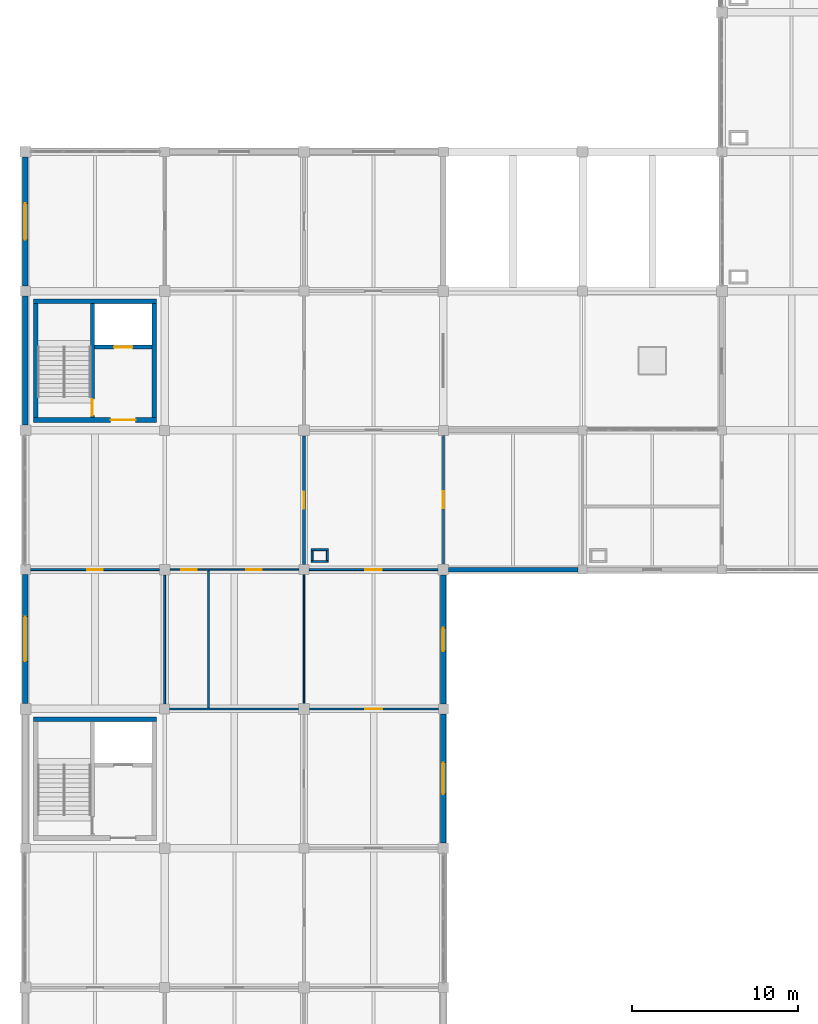
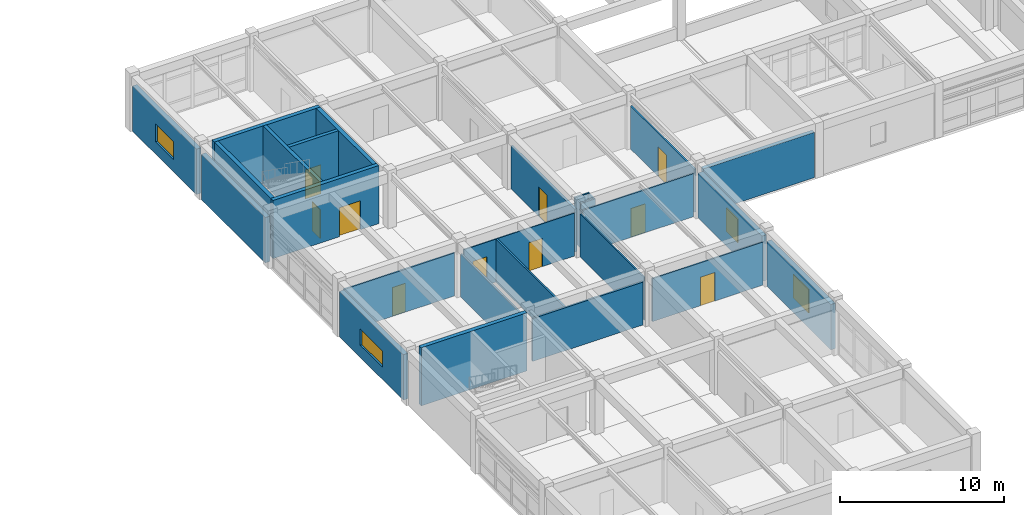
# One storey, part 61 of 74: 27 walls, 10 doors, 4 windows, 14 openings.
"""IFC4 building model written with IfcOpenShell, lengths in metres."""

from ifc_helpers import new_model, si_unit, direction, frame, frame_2d, origin, place, context, subcontext, project, spatial, rectangle, extrude, material, layer, layer_set, type_object, element, fill, save


model = new_model("IFC4")

# Units and contexts
model_context = context("Model", 3, precision=1e-05, world=origin(), true_north=direction((0.0, 1.0)))
body_context = subcontext(model_context, "Body", "Model", "MODEL_VIEW")
ifc_project = project(units=[si_unit("LENGTHUNIT", "METRE"), si_unit("AREAUNIT", "SQUARE_METRE"), si_unit("VOLUMEUNIT", "CUBIC_METRE"), si_unit("PLANEANGLEUNIT", "RADIAN"), si_unit("MASSUNIT", "GRAM", prefix="KILO")], contexts=[model_context])

# Site, building, storey
site_placement = place(None, origin())
site = spatial("IfcSite", under=ifc_project, at=site_placement, CompositionType="ELEMENT")
building_placement = place(site_placement, origin())
building = spatial("IfcBuilding", under=site, at=building_placement, Name="Porcellanite Civic Hall", CompositionType="ELEMENT")
storey_placement = place(building_placement, frame((0.0, 0.0, 14.760009765625)))
storey = spatial("IfcBuildingStorey", under=building, at=storey_placement, Name="L03", CompositionType="ELEMENT", Elevation=14.760009765625)

# Wall, opening, door
ifc_material_1 = material(Name="Concrete N40 (40 MPa)", Category="concrete")
ifc_layer_1 = layer(ifc_material_1, 0.239990234375)
ifc_layer_set_1 = layer_set([ifc_layer_1], Name="Concrete N40 (40 MPa)")
wall_type_1 = type_object("IfcWallType", Name="CW-SH240", PredefinedType="SHEAR", material=ifc_layer_set_1)
wall_1_placement = place(storey_placement, frame((12.43994140625, 59.56005859375, 0.0), z_axis=(0.0, 0.0, 1.0), x_axis=(0.0, 1.0, 0.0)))
wall_1 = element("IfcWall", 1, at=wall_1_placement, inside=storey, type_object=wall_type_1, Name="Core divider C2 L03", PredefinedType="SHEAR", context=body_context, shape_type="SweptSolid", body=[
    extrude(rectangle(XDim=6.8798828125, YDim=0.239990234375, at=frame_2d((3.43994140625, 0.0))), origin(), (0.0, 0.0, 1.0), 4.320068359375),
])
opening_1_placement = place(wall_1_placement, frame((0.1201171875, 0.0, 0.0)))
opening_1 = element("IfcOpeningElement", 2, at=opening_1_placement, cuts=wall_1, Name="Opening FD-C2-L03-ST", PredefinedType="OPENING", context=body_context, shape_type="SweptSolid", body=[
    extrude(rectangle(XDim=1.0, YDim=2.14990234375, at=frame_2d((0.5, 1.074951171875))), frame((0.0, 0.1201171875, 0.0), z_axis=(0.0, -1.0, 0.0), x_axis=(1.0, 0.0, 0.0)), (0.0, 0.0, 1.0), 0.239990234375),
])
ifc_material_2 = material(Name="Fire-rated solid-core hardwood timber", Category="wood")
door_type_1 = type_object("IfcDoorType", Name="DR-FD100", OperationType="NOTDEFINED", PredefinedType="DOOR", material=ifc_material_2)
door_1_placement = place(opening_1_placement, origin())
door_1 = element("IfcDoor", 3, at=door_1_placement, inside=storey, type_object=door_type_1, Name="Fire stair door FD-C2-L03-ST", OperationType="SINGLE_SWING_LEFT", OverallHeight=2.14990234375, OverallWidth=1.0, PredefinedType="DOOR", context=body_context, shape_type="SweptSolid", body=[
    extrude(rectangle(XDim=1.0, YDim=2.14990234375, at=frame_2d((0.5, 1.074951171875))), frame((0.0, 0.02490234375, 0.0), z_axis=(0.0, -1.0, 0.0), x_axis=(1.0, 0.0, 0.0)), (0.0, 0.0, 1.0), 0.050048828125),
])
fill(opening_1, door_1)

wall_2_placement = place(storey_placement, frame((12.56005859375, 63.820068359375, 0.0), z_axis=(0.0, 0.0, 1.0), x_axis=(1.0, 0.0, 0.0)))
wall_2 = element("IfcWall", 4, at=wall_2_placement, inside=storey, type_object=wall_type_1, Name="Lift shaft wall C2 L03", PredefinedType="SHEAR", context=body_context, shape_type="SweptSolid", body=[
    extrude(rectangle(XDim=3.47998046875, YDim=0.239990234375, at=frame_2d((1.739990234375, 0.0))), origin(), (0.0, 0.0, 1.0), 4.320068359375),
])
opening_2_placement = place(wall_2_placement, frame((1.18994140625, 0.0, 0.0)))
opening_2 = element("IfcOpeningElement", 5, at=opening_2_placement, cuts=wall_2, Name="Opening LD-04", PredefinedType="OPENING", context=body_context, shape_type="SweptSolid", body=[
    extrude(rectangle(XDim=1.10009765625, YDim=2.14990234375, at=frame_2d((0.550048828125, 1.074951171875))), frame((0.0, 0.1201171875, 0.0), z_axis=(0.0, -1.0, 0.0), x_axis=(1.0, 0.0, 0.0)), (0.0, 0.0, 1.0), 0.239990234375),
])
ifc_material_3 = material(Name="Brushed stainless steel 316", Category="steel")
door_type_2 = type_object("IfcDoorType", Name="DR-LD110", OperationType="DOUBLE_DOOR_SLIDING", PredefinedType="DOOR", material=ifc_material_3)
door_2_placement = place(opening_2_placement, origin())
door_2 = element("IfcDoor", 6, at=door_2_placement, inside=storey, type_object=door_type_2, Name="Lift landing sliding door LD-04 L03", OperationType="DOUBLE_DOOR_SLIDING", OverallHeight=2.14990234375, OverallWidth=1.10009765625, PredefinedType="DOOR", context=body_context, shape_type="SweptSolid", body=[
    extrude(rectangle(XDim=1.10009765625, YDim=2.14990234375, at=frame_2d((0.550048828125, 1.074951171875))), frame((0.0, 0.02490234375, 0.0), z_axis=(0.0, -1.0, 0.0), x_axis=(1.0, 0.0, 0.0)), (0.0, 0.0, 1.0), 0.050048828125),
])
fill(opening_2, door_2)

# Wall
ifc_material_4 = material(Name="Concrete N40 (40 MPa)", Category="concrete")
ifc_layer_2 = layer(ifc_material_4, 0.280029296875)
ifc_layer_set_2 = layer_set([ifc_layer_2], Name="Concrete N40 (40 MPa)")
wall_type_2 = type_object("IfcWallType", Name="CW-SH280", PredefinedType="SHEAR", material=ifc_layer_set_2)
wall_3_placement = place(storey_placement, frame((8.8798828125, 41.3798828125, 0.0), z_axis=(0.0, 0.0, 1.0), x_axis=(1.0, 0.0, 0.0)))
element("IfcWall", 7, at=wall_3_placement, inside=storey, type_object=wall_type_2, Name="Core wall C1 L03 N", PredefinedType="SHEAR", context=body_context, shape_type="SweptSolid", body=[
    extrude(rectangle(XDim=7.440185546875, YDim=0.280029296875, at=frame_2d((3.72021484375, 0.0))), origin(), (0.0, 0.0, 1.0), 4.320068359375),
])

# Wall, opening, door
wall_4_placement = place(storey_placement, frame((16.320068359375, 59.419921875, 0.0), z_axis=(0.0, 0.0, 1.0), x_axis=(-1.0, 0.0, 0.0)))
wall_4 = element("IfcWall", 8, at=wall_4_placement, inside=storey, type_object=wall_type_2, Name="Core wall C2 L03 S", PredefinedType="SHEAR", context=body_context, shape_type="SweptSolid", body=[
    extrude(rectangle(XDim=7.440185546875, YDim=0.280029296875, at=frame_2d((3.72021484375, 0.0))), origin(), (0.0, 0.0, 1.0), 4.320068359375),
])
opening_3_placement = place(wall_4_placement, frame((1.280029296875, 0.0, 0.0)))
opening_3 = element("IfcOpeningElement", 9, at=opening_3_placement, cuts=wall_4, Name="Opening FD-C2-L03-LB", PredefinedType="OPENING", context=body_context, shape_type="SweptSolid", body=[
    extrude(rectangle(XDim=1.5, YDim=2.14990234375, at=frame_2d((0.75, 1.074951171875))), frame((0.0, 0.14013671875, 0.0), z_axis=(0.0, -1.0, 0.0), x_axis=(1.0, 0.0, 0.0)), (0.0, 0.0, 1.0), 0.280029296875),
])
ifc_material_5 = material(Name="Fire-rated steel and Georgian wired glass", Category="steel")
door_type_3 = type_object("IfcDoorType", Name="DR-FD150", OperationType="DOUBLE_DOOR_SINGLE_SWING", PredefinedType="DOOR", material=ifc_material_5)
door_3_placement = place(opening_3_placement, origin())
door_3 = element("IfcDoor", 10, at=door_3_placement, inside=storey, type_object=door_type_3, Name="Fire lobby double door FD-C2-L03-LB", OperationType="DOUBLE_DOOR_SINGLE_SWING", OverallHeight=2.14990234375, OverallWidth=1.5, PredefinedType="DOOR", context=body_context, shape_type="SweptSolid", body=[
    extrude(rectangle(XDim=1.5, YDim=2.14990234375, at=frame_2d((0.75, 1.074951171875))), frame((0.0, 0.02490234375, 0.0), z_axis=(0.0, -1.0, 0.0), x_axis=(1.0, 0.0, 0.0)), (0.0, 0.0, 1.0), 0.050048828125),
])
fill(opening_3, door_3)

# Walls
wall_5_placement = place(storey_placement, frame((9.02001953125, 59.56005859375, 0.0), z_axis=(0.0, 0.0, 1.0), x_axis=(0.0, 1.0, 0.0)))
element("IfcWall", 11, at=wall_5_placement, inside=storey, type_object=wall_type_2, Name="Core wall C2 L03 W", PredefinedType="SHEAR", context=body_context, shape_type="SweptSolid", body=[
    extrude(rectangle(XDim=6.8798828125, YDim=0.280029296875, at=frame_2d((3.43994140625, 0.0))), origin(), (0.0, 0.0, 1.0), 4.320068359375),
])
wall_6_placement = place(storey_placement, frame((8.8798828125, 66.580078125, 0.0), z_axis=(0.0, 0.0, 1.0), x_axis=(1.0, 0.0, 0.0)))
element("IfcWall", 12, at=wall_6_placement, inside=storey, type_object=wall_type_2, Name="Core wall C2 L03 N", PredefinedType="SHEAR", context=body_context, shape_type="SweptSolid", body=[
    extrude(rectangle(XDim=7.440185546875, YDim=0.280029296875, at=frame_2d((3.72021484375, 0.0))), origin(), (0.0, 0.0, 1.0), 4.320068359375),
])
wall_7_placement = place(storey_placement, frame((16.179931640625, 66.43994140625, 0.0), z_axis=(0.0, 0.0, 1.0), x_axis=(0.0, -1.0, 0.0)))
element("IfcWall", 13, at=wall_7_placement, inside=storey, type_object=wall_type_2, Name="Core wall C2 L03 E", PredefinedType="SHEAR", context=body_context, shape_type="SweptSolid", body=[
    extrude(rectangle(XDim=6.8798828125, YDim=0.280029296875, at=frame_2d((3.43994140625, 0.0))), origin(), (0.0, 0.0, 1.0), 4.320068359375),
])
ifc_material_6 = material(Name="Precast concrete N40 (40 MPa)", Category="concrete")
ifc_layer_3 = layer(ifc_material_6, 0.280029296875)
ifc_layer_set_3 = layer_set([ifc_layer_3], Name="Precast concrete N40 (40 MPa)")
wall_type_3 = type_object("IfcWallType", Name="EW-CLO280", PredefinedType="SOLIDWALL", material=ifc_layer_set_3)
wall_8_placement = place(storey_placement, frame((41.72412109375, 50.39990234375, 0.0), z_axis=(0.0, 0.0, 1.0), x_axis=(-1.0, 0.0, 0.0)))
element("IfcWall", 14, at=wall_8_placement, inside=storey, type_object=wall_type_3, Name="Exterior wall L03 S 5-7", PredefinedType="SOLIDWALL", context=body_context, shape_type="SweptSolid", body=[
    extrude(rectangle(XDim=7.798095703125, YDim=0.280029296875, at=frame_2d((3.89892578125, 0.0))), origin(), (0.0, 0.0, 1.0), 3.369873046875),
])

# Wall, opening, window
ifc_material_7 = material(Name="Precast concrete N40 (40 MPa)", Category="concrete")
ifc_layer_4 = layer(ifc_material_7, 0.320068359375)
ifc_layer_set_4 = layer_set([ifc_layer_4], Name="Precast concrete N40 (40 MPa)")
wall_type_4 = type_object("IfcWallType", Name="EW-COM320", PredefinedType="SOLIDWALL", material=ifc_layer_set_4)
wall_9_placement = place(storey_placement, frame((8.39990234375, 42.325927734375, 0.0), z_axis=(0.0, 0.0, 1.0), x_axis=(0.0, 1.0, 0.0)))
wall_9 = element("IfcWall", 15, at=wall_9_placement, inside=storey, type_object=wall_type_4, Name="Exterior wall L03 W 2-6", PredefinedType="SOLIDWALL", context=body_context, shape_type="SweptSolid", body=[
    extrude(rectangle(XDim=7.773193359375, YDim=0.320068359375, at=frame_2d((3.88671875, 0.0))), origin(), (0.0, 0.0, 1.0), 3.369873046875),
])
opening_4_placement = place(wall_9_placement, frame((2.535888671875, 0.0, 0.89990234375)))
opening_4 = element("IfcOpeningElement", 16, at=opening_4_placement, cuts=wall_9, Name="Opening W10", PredefinedType="OPENING", context=body_context, shape_type="SweptSolid", body=[
    extrude(rectangle(XDim=2.699951171875, YDim=1.199951171875, at=frame_2d((1.35009765625, 0.60009765625))), frame((0.0, 0.16015625, 0.0), z_axis=(0.0, -1.0, 0.0), x_axis=(1.0, 0.0, 0.0)), (0.0, 0.0, 1.0), 0.320068359375),
])
ifc_material_8 = material(Name="Cyclone laminated low-E glazing in anodised aluminium frame", Category="aluminium")
window_type_1 = type_object("IfcWindowType", Name="WN-10", PartitioningType="DOUBLE_PANEL_HORIZONTAL", PredefinedType="WINDOW", material=ifc_material_8)
window_1_placement = place(opening_4_placement, origin())
window_1 = element("IfcWindow", 17, at=window_1_placement, inside=storey, type_object=window_type_1, Name="Window W10 L03 W 2-6", OverallHeight=1.199951171875, OverallWidth=2.699951171875, PartitioningType="SINGLE_PANEL", PredefinedType="WINDOW", context=body_context, shape_type="SweptSolid", body=[
    extrude(rectangle(XDim=2.699951171875, YDim=1.199951171875, at=frame_2d((1.35009765625, 0.60009765625))), frame((0.0, 0.030029296875, 0.0), z_axis=(0.0, -1.0, 0.0), x_axis=(1.0, 0.0, 0.0)), (0.0, 0.0, 1.0), 0.06005859375),
])
fill(opening_4, window_1)

# Wall
wall_10_placement = place(storey_placement, frame((8.39990234375, 59.1259765625, 0.0), z_axis=(0.0, 0.0, 1.0), x_axis=(0.0, 1.0, 0.0)))
element("IfcWall", 18, at=wall_10_placement, inside=storey, type_object=wall_type_4, Name="Exterior wall L03 W 2-8", PredefinedType="SOLIDWALL", context=body_context, shape_type="SweptSolid", body=[
    extrude(rectangle(XDim=7.77294921875, YDim=0.320068359375, at=frame_2d((3.886474609375, 0.0))), origin(), (0.0, 0.0, 1.0), 3.369873046875),
])

# Wall, opening, window
wall_11_placement = place(storey_placement, frame((8.39990234375, 67.5009765625, 0.0), z_axis=(0.0, 0.0, 1.0), x_axis=(0.0, 1.0, 0.0)))
wall_11 = element("IfcWall", 19, at=wall_11_placement, inside=storey, type_object=wall_type_4, Name="Exterior wall L03 W 2-9", PredefinedType="SOLIDWALL", context=body_context, shape_type="SweptSolid", body=[
    extrude(rectangle(XDim=7.77294921875, YDim=0.320068359375, at=frame_2d((3.886474609375, 0.0))), origin(), (0.0, 0.0, 1.0), 3.369873046875),
])
opening_5_placement = place(wall_11_placement, frame((2.785888671875, 0.0, 0.89990234375)))
opening_5 = element("IfcOpeningElement", 20, at=opening_5_placement, cuts=wall_11, Name="Opening W11", PredefinedType="OPENING", context=body_context, shape_type="SweptSolid", body=[
    extrude(rectangle(XDim=2.199951171875, YDim=1.35009765625, at=frame_2d((1.10009765625, 0.675048828125))), frame((0.0, 0.16015625, 0.0), z_axis=(0.0, -1.0, 0.0), x_axis=(1.0, 0.0, 0.0)), (0.0, 0.0, 1.0), 0.320068359375),
])
ifc_material_9 = material(Name="Cyclone laminated low-E glazing in anodised aluminium frame", Category="aluminium")
window_type_2 = type_object("IfcWindowType", Name="WN-11", PartitioningType="DOUBLE_PANEL_HORIZONTAL", PredefinedType="WINDOW", material=ifc_material_9)
window_2_placement = place(opening_5_placement, origin())
window_2 = element("IfcWindow", 21, at=window_2_placement, inside=storey, type_object=window_type_2, Name="Window W11 L03 W 2-9", OverallHeight=1.35009765625, OverallWidth=2.199951171875, PartitioningType="SINGLE_PANEL", PredefinedType="WINDOW", context=body_context, shape_type="SweptSolid", body=[
    extrude(rectangle(XDim=2.199951171875, YDim=1.35009765625, at=frame_2d((1.10009765625, 0.675048828125))), frame((0.0, 0.030029296875, 0.0), z_axis=(0.0, -1.0, 0.0), x_axis=(1.0, 0.0, 0.0)), (0.0, 0.0, 1.0), 0.06005859375),
])
fill(opening_5, window_2)

wall_12_placement = place(storey_placement, frame((33.60009765625, 41.698974609375, 0.0), z_axis=(0.0, 0.0, 1.0), x_axis=(0.0, -1.0, 0.0)))
wall_12 = element("IfcWall", 22, at=wall_12_placement, inside=storey, type_object=wall_type_4, Name="Exterior wall L03 E 4-5", PredefinedType="SOLIDWALL", context=body_context, shape_type="SweptSolid", body=[
    extrude(rectangle(XDim=7.77294921875, YDim=0.320068359375, at=frame_2d((3.886474609375, 0.0))), origin(), (0.0, 0.0, 1.0), 3.369873046875),
])
opening_6_placement = place(wall_12_placement, frame((2.93603515625, 0.0, 0.89990234375)))
opening_6 = element("IfcOpeningElement", 23, at=opening_6_placement, cuts=wall_12, Name="Opening W15", PredefinedType="OPENING", context=body_context, shape_type="SweptSolid", body=[
    extrude(rectangle(XDim=1.89990234375, YDim=1.75, at=frame_2d((0.949951171875, 0.875))), frame((0.0, 0.16015625, 0.0), z_axis=(0.0, -1.0, 0.0), x_axis=(1.0, 0.0, 0.0)), (0.0, 0.0, 1.0), 0.320068359375),
])
ifc_material_10 = material(Name="Cyclone laminated low-E glazing in anodised aluminium frame", Category="aluminium")
window_type_3 = type_object("IfcWindowType", Name="WN-15", PartitioningType="DOUBLE_PANEL_VERTICAL", PredefinedType="WINDOW", material=ifc_material_10)
window_3_placement = place(opening_6_placement, origin())
window_3 = element("IfcWindow", 24, at=window_3_placement, inside=storey, type_object=window_type_3, Name="Window W15 L03 E 4-5", OverallHeight=1.75, OverallWidth=1.89990234375, PartitioningType="SINGLE_PANEL", PredefinedType="WINDOW", context=body_context, shape_type="SweptSolid", body=[
    extrude(rectangle(XDim=1.89990234375, YDim=1.75, at=frame_2d((0.949951171875, 0.875))), frame((0.0, 0.030029296875, 0.0), z_axis=(0.0, -1.0, 0.0), x_axis=(1.0, 0.0, 0.0)), (0.0, 0.0, 1.0), 0.06005859375),
])
fill(opening_6, window_3)

wall_13_placement = place(storey_placement, frame((33.60009765625, 50.073974609375, 0.0), z_axis=(0.0, 0.0, 1.0), x_axis=(0.0, -1.0, 0.0)))
wall_13 = element("IfcWall", 25, at=wall_13_placement, inside=storey, type_object=wall_type_4, Name="Exterior wall L03 E 4-6", PredefinedType="SOLIDWALL", context=body_context, shape_type="SweptSolid", body=[
    extrude(rectangle(XDim=7.77294921875, YDim=0.320068359375, at=frame_2d((3.886474609375, 0.0))), origin(), (0.0, 0.0, 1.0), 3.369873046875),
])
opening_7_placement = place(wall_13_placement, frame((3.18603515625, 0.0, 0.89990234375)))
opening_7 = element("IfcOpeningElement", 26, at=opening_7_placement, cuts=wall_13, Name="Opening W16", PredefinedType="OPENING", context=body_context, shape_type="SweptSolid", body=[
    extrude(rectangle(XDim=1.39990234375, YDim=1.75, at=frame_2d((0.699951171875, 0.875))), frame((0.0, 0.16015625, 0.0), z_axis=(0.0, -1.0, 0.0), x_axis=(1.0, 0.0, 0.0)), (0.0, 0.0, 1.0), 0.320068359375),
])
ifc_material_11 = material(Name="Cyclone laminated low-E glazing in anodised aluminium frame", Category="aluminium")
window_type_4 = type_object("IfcWindowType", Name="WN-16", PartitioningType="SINGLE_PANEL", PredefinedType="WINDOW", material=ifc_material_11)
window_4_placement = place(opening_7_placement, origin())
window_4 = element("IfcWindow", 27, at=window_4_placement, inside=storey, type_object=window_type_4, Name="Window W16 L03 E 4-6", OverallHeight=1.75, OverallWidth=1.39990234375, PartitioningType="SINGLE_PANEL", PredefinedType="WINDOW", context=body_context, shape_type="SweptSolid", body=[
    extrude(rectangle(XDim=1.39990234375, YDim=1.75, at=frame_2d((0.699951171875, 0.875))), frame((0.0, 0.030029296875, 0.0), z_axis=(0.0, -1.0, 0.0), x_axis=(1.0, 0.0, 0.0)), (0.0, 0.0, 1.0), 0.06005859375),
])
fill(opening_7, window_4)

# Walls
ifc_material_12 = material(Name="Fire-rated shaftwall plasterboard on steel studs", Category="steel")
ifc_layer_5 = layer(ifc_material_12, 0.117919921875)
ifc_layer_set_5 = layer_set([ifc_layer_5], Name="Fire-rated shaftwall plasterboard on steel studs")
wall_type_5 = type_object("IfcWallType", Name="IW-FR118", PredefinedType="PARTITIONING", material=ifc_layer_set_5)
for number, where, z_axis, x_axis, name in (
    (28, (25.632080078125, 50.89111328125, 0.0), (0.0, 0.0, 1.0), (1.0, 0.0, 0.0), "Fire riser shaftwall S L03 3-6"),
    (29, (25.632080078125, 51.60888671875, 0.0), (0.0, 0.0, 1.0), (1.0, 0.0, 0.0), "Fire riser shaftwall N L03 3-6"),
):
    element("IfcWall", number, at=place(storey_placement, frame(where, z_axis=z_axis, x_axis=x_axis)), inside=storey, type_object=wall_type_5, Name=name, PredefinedType="PARTITIONING", context=body_context, shape_type="SweptSolid", body=[
        extrude(rectangle(XDim=1.035888671875, YDim=0.117919921875, at=frame_2d((0.51806640625, 0.0))), origin(), (0.0, 0.0, 1.0), 3.35009765625),
    ])
for number, where, z_axis, x_axis, name in (
    (30, (25.69091796875, 50.949951171875, 0.0), (0.0, 0.0, 1.0), (0.0, 1.0, 0.0), "Fire riser shaftwall W L03 3-6"),
    (31, (26.60888671875, 50.949951171875, 0.0), (0.0, 0.0, 1.0), (0.0, 1.0, 0.0), "Fire riser shaftwall E L03 3-6"),
):
    element("IfcWall", number, at=place(storey_placement, frame(where, z_axis=z_axis, x_axis=x_axis)), inside=storey, type_object=wall_type_5, Name=name, PredefinedType="PARTITIONING", context=body_context, shape_type="SweptSolid", body=[
        extrude(rectangle(XDim=0.60009765625, YDim=0.117919921875, at=frame_2d((0.300048828125, 0.0))), origin(), (0.0, 0.0, 1.0), 3.35009765625),
    ])

# Wall, openings, doors
ifc_material_13 = material(Name="Insulated acoustic plasterboard on light-gauge steel studs", Category="steel")
ifc_layer_6 = layer(ifc_material_13, 0.087890625)
ifc_layer_set_6 = layer_set([ifc_layer_6], Name="Insulated acoustic plasterboard on light-gauge steel studs")
wall_type_6 = type_object("IfcWallType", Name="IW-PT088", PredefinedType="PARTITIONING", material=ifc_layer_set_6)
wall_14_placement = place(storey_placement, frame((17.126953125, 50.39990234375, 0.0), z_axis=(0.0, 0.0, 1.0), x_axis=(1.0, 0.0, 0.0)))
wall_14 = element("IfcWall", 32, at=wall_14_placement, inside=storey, type_object=wall_type_6, Name="Partition L03 H 3-6", PredefinedType="PARTITIONING", context=body_context, shape_type="SweptSolid", body=[
    extrude(rectangle(XDim=7.77099609375, YDim=0.087890625, at=frame_2d((3.885498046875, 0.0))), origin(), (0.0, 0.0, 1.0), 3.18994140625),
])
opening_8_placement = place(wall_14_placement, frame((0.657958984375, 0.0, 0.0)))
opening_8 = element("IfcOpeningElement", 33, at=opening_8_placement, cuts=wall_14, Name="Opening D-L03-404", PredefinedType="OPENING", context=body_context, shape_type="SweptSolid", body=[
    extrude(rectangle(XDim=0.9599609375, YDim=2.10009765625, at=frame_2d((0.47998046875, 1.050048828125))), frame((0.0, 0.0439453125, 0.0), z_axis=(0.0, -1.0, 0.0), x_axis=(1.0, 0.0, 0.0)), (0.0, 0.0, 1.0), 0.087890625),
])
opening_9_placement = place(wall_14_placement, frame((4.597900390625, 0.0, 0.0)))
opening_9 = element("IfcOpeningElement", 34, at=opening_9_placement, cuts=wall_14, Name="Opening D-L03-405", PredefinedType="OPENING", context=body_context, shape_type="SweptSolid", body=[
    extrude(rectangle(XDim=0.919921875, YDim=2.10009765625, at=frame_2d((0.4599609375, 1.050048828125))), frame((0.0, 0.0439453125, 0.0), z_axis=(0.0, -1.0, 0.0), x_axis=(1.0, 0.0, 0.0)), (0.0, 0.0, 1.0), 0.087890625),
])
ifc_material_14 = material(Name="Moisture-resistant laminate solid-core timber", Category="wood")
door_type_4 = type_object("IfcDoorType", Name="DR-WC092", OperationType="NOTDEFINED", PredefinedType="DOOR", material=ifc_material_14)
door_4_placement = place(opening_9_placement, origin())
door_4 = element("IfcDoor", 35, at=door_4_placement, inside=storey, type_object=door_type_4, Name="Interior door D-L03-405", OperationType="SINGLE_SWING_LEFT", OverallHeight=2.10009765625, OverallWidth=0.919921875, PredefinedType="DOOR", context=body_context, shape_type="SweptSolid", body=[
    extrude(rectangle(XDim=0.919921875, YDim=2.10009765625, at=frame_2d((0.4599609375, 1.050048828125))), frame((0.0, 0.02490234375, 0.0), z_axis=(0.0, -1.0, 0.0), x_axis=(1.0, 0.0, 0.0)), (0.0, 0.0, 1.0), 0.050048828125),
])
fill(opening_9, door_4)
ifc_material_15 = material(Name="Moisture-resistant laminate solid-core timber", Category="wood")
door_type_5 = type_object("IfcDoorType", Name="DR-WC096", OperationType="NOTDEFINED", PredefinedType="DOOR", material=ifc_material_15)
door_5_placement = place(opening_8_placement, origin())
door_5 = element("IfcDoor", 36, at=door_5_placement, inside=storey, type_object=door_type_5, Name="Interior door D-L03-404", OperationType="SINGLE_SWING_RIGHT", OverallHeight=2.10009765625, OverallWidth=0.9599609375, PredefinedType="DOOR", context=body_context, shape_type="SweptSolid", body=[
    extrude(rectangle(XDim=0.9599609375, YDim=2.10009765625, at=frame_2d((0.47998046875, 1.050048828125))), frame((0.0, 0.02490234375, 0.0), z_axis=(0.0, -1.0, 0.0), x_axis=(1.0, 0.0, 0.0)), (0.0, 0.0, 1.0), 0.050048828125),
])
fill(opening_8, door_5)

# Wall
wall_15_placement = place(storey_placement, frame((25.199951171875, 42.326904296875, 0.0), z_axis=(0.0, 0.0, 1.0), x_axis=(0.0, 1.0, 0.0)))
element("IfcWall", 37, at=wall_15_placement, inside=storey, type_object=wall_type_6, Name="Partition L03 V 3-6", PredefinedType="PARTITIONING", context=body_context, shape_type="SweptSolid", body=[
    extrude(rectangle(XDim=7.77099609375, YDim=0.087890625, at=frame_2d((3.885498046875, 0.0))), origin(), (0.0, 0.0, 1.0), 3.18994140625),
])

# Wall, opening, door
ifc_material_16 = material(Name="Insulated acoustic plasterboard on light-gauge steel studs", Category="steel")
ifc_layer_7 = layer(ifc_material_16, 0.10498046875)
ifc_layer_set_7 = layer_set([ifc_layer_7], Name="Insulated acoustic plasterboard on light-gauge steel studs")
wall_type_7 = type_object("IfcWallType", Name="IW-PT105", PredefinedType="PARTITIONING", material=ifc_layer_set_7)
wall_16_placement = place(storey_placement, frame((25.527099609375, 42.0, 0.0), z_axis=(0.0, 0.0, 1.0), x_axis=(1.0, 0.0, 0.0)))
wall_16 = element("IfcWall", 38, at=wall_16_placement, inside=storey, type_object=wall_type_7, Name="Partition L03 H 4-5", PredefinedType="PARTITIONING", context=body_context, shape_type="SweptSolid", body=[
    extrude(rectangle(XDim=7.77099609375, YDim=0.10498046875, at=frame_2d((3.885498046875, 0.0))), origin(), (0.0, 0.0, 1.0), 3.18994140625),
])
opening_10_placement = place(wall_16_placement, frame((3.381103515625, 0.0, 0.0)))
opening_10 = element("IfcOpeningElement", 39, at=opening_10_placement, cuts=wall_16, Name="Opening D-L03-439", PredefinedType="OPENING", context=body_context, shape_type="SweptSolid", body=[
    extrude(rectangle(XDim=1.010009765625, YDim=2.1201171875, at=frame_2d((0.5048828125, 1.06005859375))), frame((0.0, 0.052490234375, 0.0), z_axis=(0.0, -1.0, 0.0), x_axis=(1.0, 0.0, 0.0)), (0.0, 0.0, 1.0), 0.10498046875),
])
ifc_material_17 = material(Name="Solid-core spotted-gum timber", Category="wood")
door_type_6 = type_object("IfcDoorType", Name="DR-RM101", OperationType="NOTDEFINED", PredefinedType="DOOR", material=ifc_material_17)
door_6_placement = place(opening_10_placement, origin())
door_6 = element("IfcDoor", 40, at=door_6_placement, inside=storey, type_object=door_type_6, Name="Interior door D-L03-439", OperationType="SINGLE_SWING_LEFT", OverallHeight=2.1201171875, OverallWidth=1.010009765625, PredefinedType="DOOR", context=body_context, shape_type="SweptSolid", body=[
    extrude(rectangle(XDim=1.010009765625, YDim=2.1201171875, at=frame_2d((0.5048828125, 1.06005859375))), frame((0.0, 0.02490234375, 0.0), z_axis=(0.0, -1.0, 0.0), x_axis=(1.0, 0.0, 0.0)), (0.0, 0.0, 1.0), 0.050048828125),
])
fill(opening_10, door_6)

ifc_material_18 = material(Name="Insulated acoustic plasterboard on light-gauge steel studs", Category="steel")
ifc_layer_8 = layer(ifc_material_18, 0.114990234375)
ifc_layer_set_8 = layer_set([ifc_layer_8], Name="Insulated acoustic plasterboard on light-gauge steel studs")
wall_type_8 = type_object("IfcWallType", Name="IW-PT115", PredefinedType="PARTITIONING", material=ifc_layer_set_8)
wall_17_placement = place(storey_placement, frame((8.701904296875, 50.39990234375, 0.0), z_axis=(0.0, 0.0, 1.0), x_axis=(1.0, 0.0, 0.0)))
wall_17 = element("IfcWall", 41, at=wall_17_placement, inside=storey, type_object=wall_type_8, Name="Partition L03 H 2-6", PredefinedType="PARTITIONING", context=body_context, shape_type="SweptSolid", body=[
    extrude(rectangle(XDim=7.77099609375, YDim=0.114990234375, at=frame_2d((3.885498046875, 0.0))), origin(), (0.0, 0.0, 1.0), 3.18994140625),
])
opening_11_placement = place(wall_17_placement, frame((3.4208984375, 0.0, 0.0)))
opening_11 = element("IfcOpeningElement", 42, at=opening_11_placement, cuts=wall_17, Name="Opening D-L03-415", PredefinedType="OPENING", context=body_context, shape_type="SweptSolid", body=[
    extrude(rectangle(XDim=0.929931640625, YDim=2.1201171875, at=frame_2d((0.46484375, 1.06005859375))), frame((0.0, 0.0576171875, 0.0), z_axis=(0.0, -1.0, 0.0), x_axis=(1.0, 0.0, 0.0)), (0.0, 0.0, 1.0), 0.114990234375),
])
ifc_material_19 = material(Name="Solid-core spotted-gum timber", Category="wood")
door_type_7 = type_object("IfcDoorType", Name="DR-RM093", OperationType="NOTDEFINED", PredefinedType="DOOR", material=ifc_material_19)
door_7_placement = place(opening_11_placement, origin())
door_7 = element("IfcDoor", 43, at=door_7_placement, inside=storey, type_object=door_type_7, Name="Interior door D-L03-415", OperationType="SINGLE_SWING_LEFT", OverallHeight=2.1201171875, OverallWidth=0.929931640625, PredefinedType="DOOR", context=body_context, shape_type="SweptSolid", body=[
    extrude(rectangle(XDim=0.929931640625, YDim=2.1201171875, at=frame_2d((0.46484375, 1.06005859375))), frame((0.0, 0.02490234375, 0.0), z_axis=(0.0, -1.0, 0.0), x_axis=(1.0, 0.0, 0.0)), (0.0, 0.0, 1.0), 0.050048828125),
])
fill(opening_11, door_7)

# Wall
wall_18_placement = place(storey_placement, frame((16.800048828125, 42.302001953125, 0.0), z_axis=(0.0, 0.0, 1.0), x_axis=(0.0, 1.0, 0.0)))
element("IfcWall", 44, at=wall_18_placement, inside=storey, type_object=wall_type_8, Name="Partition L03 V 2-6", PredefinedType="PARTITIONING", context=body_context, shape_type="SweptSolid", body=[
    extrude(rectangle(XDim=7.77099609375, YDim=0.114990234375, at=frame_2d((3.885498046875, 0.0))), origin(), (0.0, 0.0, 1.0), 3.18994140625),
])

# Wall, opening, door
ifc_material_20 = material(Name="Insulated acoustic plasterboard on light-gauge steel studs", Category="steel")
ifc_layer_9 = layer(ifc_material_20, 0.125)
ifc_layer_set_9 = layer_set([ifc_layer_9], Name="Insulated acoustic plasterboard on light-gauge steel studs")
wall_type_9 = type_object("IfcWallType", Name="IW-PT125", PredefinedType="PARTITIONING", material=ifc_layer_set_9)
wall_19_placement = place(storey_placement, frame((33.60009765625, 50.72705078125, 0.0), z_axis=(0.0, 0.0, 1.0), x_axis=(0.0, 1.0, 0.0)))
wall_19 = element("IfcWall", 45, at=wall_19_placement, inside=storey, type_object=wall_type_9, Name="Partition L03 V 4-7", PredefinedType="PARTITIONING", context=body_context, shape_type="SweptSolid", body=[
    extrude(rectangle(XDim=7.77099609375, YDim=0.125, at=frame_2d((3.885498046875, 0.0))), origin(), (0.0, 0.0, 1.0), 3.18994140625),
])
opening_12_placement = place(wall_19_placement, frame((3.364990234375, 0.0, 0.0)))
opening_12 = element("IfcOpeningElement", 46, at=opening_12_placement, cuts=wall_19, Name="Opening D-L03-444", PredefinedType="OPENING", context=body_context, shape_type="SweptSolid", body=[
    extrude(rectangle(XDim=1.0400390625, YDim=2.199951171875, at=frame_2d((0.52001953125, 1.10009765625))), frame((0.0, 0.0625, 0.0), z_axis=(0.0, -1.0, 0.0), x_axis=(1.0, 0.0, 0.0)), (0.0, 0.0, 1.0), 0.125),
])
ifc_material_21 = material(Name="Solid-core spotted-gum timber", Category="wood")
door_type_8 = type_object("IfcDoorType", Name="DR-RM104", OperationType="NOTDEFINED", PredefinedType="DOOR", material=ifc_material_21)
door_8_placement = place(opening_12_placement, origin())
door_8 = element("IfcDoor", 47, at=door_8_placement, inside=storey, type_object=door_type_8, Name="Interior door D-L03-444", OperationType="SINGLE_SWING_RIGHT", OverallHeight=2.199951171875, OverallWidth=1.0400390625, PredefinedType="DOOR", context=body_context, shape_type="SweptSolid", body=[
    extrude(rectangle(XDim=1.0400390625, YDim=2.199951171875, at=frame_2d((0.52001953125, 1.10009765625))), frame((0.0, 0.02490234375, 0.0), z_axis=(0.0, -1.0, 0.0), x_axis=(1.0, 0.0, 0.0)), (0.0, 0.0, 1.0), 0.050048828125),
])
fill(opening_12, door_8)

# Walls
wall_20_placement = place(storey_placement, frame((19.449951171875, 42.069580078125, 0.0), z_axis=(0.0, 0.0, 1.0), x_axis=(0.0, 1.0, 0.0)))
element("IfcWall", 48, at=wall_20_placement, inside=storey, type_object=wall_type_9, Name="Partition L03 sub 3-6", PredefinedType="PARTITIONING", context=body_context, shape_type="SweptSolid", body=[
    extrude(rectangle(XDim=8.284423828125, YDim=0.125, at=frame_2d((4.14208984375, 0.0))), origin(), (0.0, 0.0, 1.0), 3.18994140625),
])
ifc_material_22 = material(Name="Insulated acoustic plasterboard on light-gauge steel studs", Category="steel")
ifc_layer_10 = layer(ifc_material_22, 0.135009765625)
ifc_layer_set_10 = layer_set([ifc_layer_10], Name="Insulated acoustic plasterboard on light-gauge steel studs")
wall_type_10 = type_object("IfcWallType", Name="IW-PT135", PredefinedType="PARTITIONING", material=ifc_layer_set_10)
wall_21_placement = place(storey_placement, frame((17.10205078125, 42.0, 0.0), z_axis=(0.0, 0.0, 1.0), x_axis=(1.0, 0.0, 0.0)))
element("IfcWall", 49, at=wall_21_placement, inside=storey, type_object=wall_type_10, Name="Partition L03 H 3-5", PredefinedType="PARTITIONING", context=body_context, shape_type="SweptSolid", body=[
    extrude(rectangle(XDim=7.77099609375, YDim=0.135009765625, at=frame_2d((3.885498046875, 0.0))), origin(), (0.0, 0.0, 1.0), 3.18994140625),
])

# Wall, opening, door
ifc_material_23 = material(Name="Insulated acoustic plasterboard on light-gauge steel studs", Category="steel")
ifc_layer_11 = layer(ifc_material_23, 0.155029296875)
ifc_layer_set_11 = layer_set([ifc_layer_11], Name="Insulated acoustic plasterboard on light-gauge steel studs")
wall_type_11 = type_object("IfcWallType", Name="IW-PT155", PredefinedType="PARTITIONING", material=ifc_layer_set_11)
wall_22_placement = place(storey_placement, frame((25.199951171875, 50.701904296875, 0.0), z_axis=(0.0, 0.0, 1.0), x_axis=(0.0, 1.0, 0.0)))
wall_22 = element("IfcWall", 50, at=wall_22_placement, inside=storey, type_object=wall_type_11, Name="Partition L03 V 3-7", PredefinedType="PARTITIONING", context=body_context, shape_type="SweptSolid", body=[
    extrude(rectangle(XDim=7.77099609375, YDim=0.155029296875, at=frame_2d((3.885498046875, 0.0))), origin(), (0.0, 0.0, 1.0), 3.18994140625),
])
opening_13_placement = place(wall_22_placement, frame((3.385009765625, 0.0, 0.0)))
opening_13 = element("IfcOpeningElement", 51, at=opening_13_placement, cuts=wall_22, Name="Opening D-L03-433", PredefinedType="OPENING", context=body_context, shape_type="SweptSolid", body=[
    extrude(rectangle(XDim=1.0, YDim=2.199951171875, at=frame_2d((0.5, 1.10009765625))), frame((0.0, 0.07763671875, 0.0), z_axis=(0.0, -1.0, 0.0), x_axis=(1.0, 0.0, 0.0)), (0.0, 0.0, 1.0), 0.155029296875),
])
ifc_material_24 = material(Name="Solid-core spotted-gum timber", Category="wood")
door_type_9 = type_object("IfcDoorType", Name="DR-RM100", OperationType="NOTDEFINED", PredefinedType="DOOR", material=ifc_material_24)
door_9_placement = place(opening_13_placement, origin())
door_9 = element("IfcDoor", 52, at=door_9_placement, inside=storey, type_object=door_type_9, Name="Interior door D-L03-433", OperationType="SINGLE_SWING_LEFT", OverallHeight=2.199951171875, OverallWidth=1.0, PredefinedType="DOOR", context=body_context, shape_type="SweptSolid", body=[
    extrude(rectangle(XDim=1.0, YDim=2.199951171875, at=frame_2d((0.5, 1.10009765625))), frame((0.0, 0.02490234375, 0.0), z_axis=(0.0, -1.0, 0.0), x_axis=(1.0, 0.0, 0.0)), (0.0, 0.0, 1.0), 0.050048828125),
])
fill(opening_13, door_9)

ifc_material_25 = material(Name="Acoustic timber-veneered operable panel system", Category="wood")
ifc_layer_12 = layer(ifc_material_25, 0.110107421875)
ifc_layer_set_12 = layer_set([ifc_layer_12], Name="Acoustic timber-veneered operable panel system")
wall_type_12 = type_object("IfcWallType", Name="MW-OP110", PredefinedType="MOVABLE", material=ifc_layer_set_12)
wall_23_placement = place(storey_placement, frame((25.501953125, 50.39990234375, 0.0), z_axis=(0.0, 0.0, 1.0), x_axis=(1.0, 0.0, 0.0)))
wall_23 = element("IfcWall", 53, at=wall_23_placement, inside=storey, type_object=wall_type_12, Name="Partition L03 H 4-6", PredefinedType="MOVABLE", context=body_context, shape_type="SweptSolid", body=[
    extrude(rectangle(XDim=7.77099609375, YDim=0.110107421875, at=frame_2d((3.885498046875, 0.0))), origin(), (0.0, 0.0, 1.0), 3.18994140625),
])
opening_14_placement = place(wall_23_placement, frame((3.381103515625, 0.0, 0.0)))
opening_14 = element("IfcOpeningElement", 54, at=opening_14_placement, cuts=wall_23, Name="Opening D-L03-452", PredefinedType="OPENING", context=body_context, shape_type="SweptSolid", body=[
    extrude(rectangle(XDim=1.010009765625, YDim=2.1201171875, at=frame_2d((0.5048828125, 1.06005859375))), frame((0.0, 0.05517578125, 0.0), z_axis=(0.0, -1.0, 0.0), x_axis=(1.0, 0.0, 0.0)), (0.0, 0.0, 1.0), 0.110107421875),
])
door_10_placement = place(opening_14_placement, origin())
door_10 = element("IfcDoor", 55, at=door_10_placement, inside=storey, type_object=door_type_6, Name="Interior door D-L03-452", OperationType="SINGLE_SWING_RIGHT", OverallHeight=2.1201171875, OverallWidth=1.010009765625, PredefinedType="DOOR", context=body_context, shape_type="SweptSolid", body=[
    extrude(rectangle(XDim=1.010009765625, YDim=2.1201171875, at=frame_2d((0.5048828125, 1.06005859375))), frame((0.0, 0.02490234375, 0.0), z_axis=(0.0, -1.0, 0.0), x_axis=(1.0, 0.0, 0.0)), (0.0, 0.0, 1.0), 0.050048828125),
])
fill(opening_14, door_10)

save(model, "model.ifc")
